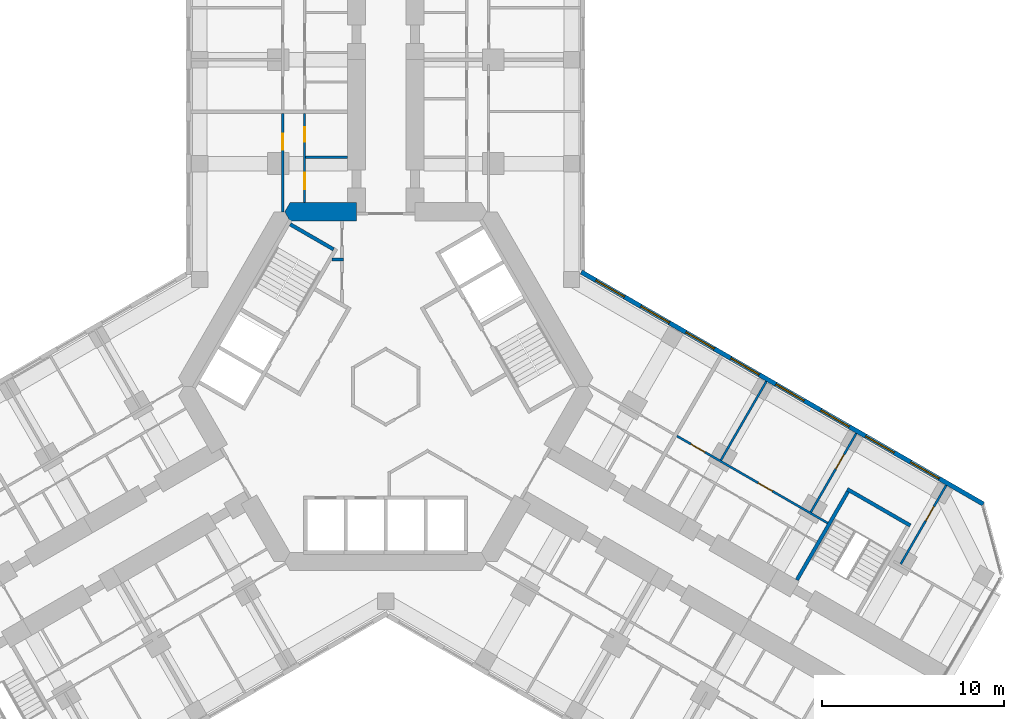
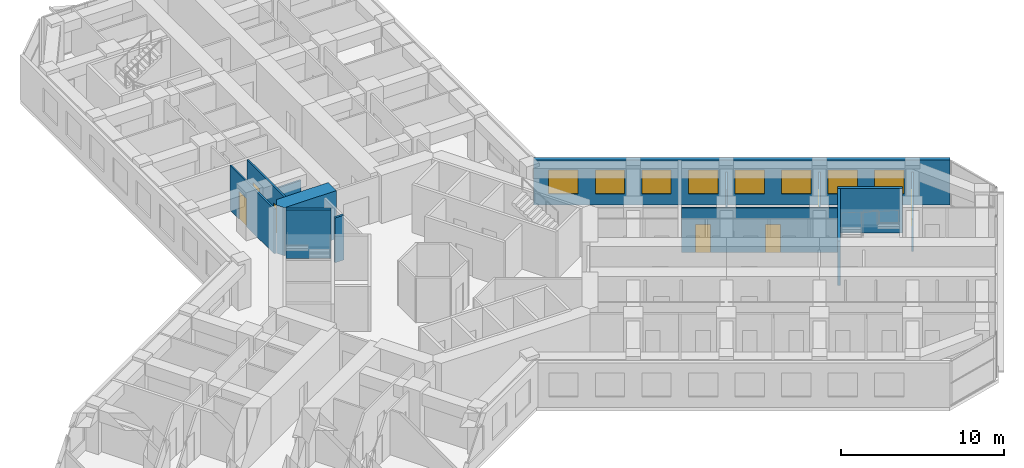
# One storey, part 17 of 22: 13 walls, 8 windows, 7 doors, 15 openings.
"""IFC4 building model written with IfcOpenShell, lengths in metres."""

from ifc_helpers import new_model, si_unit, direction, frame, frame_2d, origin, place, context, subcontext, project, spatial, polyline, rectangle, outline, extrude, material, layer, layer_set, type_object, element, fill, save


model = new_model("IFC4")

# Units and contexts
model_context = context("Model", 3, precision=1e-05, world=origin(), true_north=direction((0.0, 1.0)))
body_context = subcontext(model_context, "Body", "Model", "MODEL_VIEW")
ifc_project = project(units=[si_unit("LENGTHUNIT", "METRE"), si_unit("AREAUNIT", "SQUARE_METRE"), si_unit("VOLUMEUNIT", "CUBIC_METRE"), si_unit("PLANEANGLEUNIT", "RADIAN"), si_unit("MASSUNIT", "GRAM", prefix="KILO")], contexts=[model_context])

# Site, building, storey
site_placement = place(None, origin())
site = spatial("IfcSite", under=ifc_project, at=site_placement, CompositionType="ELEMENT")
building_placement = place(site_placement, origin())
building = spatial("IfcBuilding", under=site, at=building_placement, Name="Kosmar Iwan School Tower", CompositionType="ELEMENT")
storey_placement = place(building_placement, frame((0.0, 0.0, 91.60009765625)))
storey = spatial("IfcBuildingStorey", under=building, at=storey_placement, Name="L22", CompositionType="ELEMENT", Elevation=91.60009765625)

# Walls
ifc_material_1 = material(Name="Gypsum board on steel studs, fire-rated", Category="steel")
ifc_layer_1 = layer(ifc_material_1, 0.14990234375)
ifc_layer_set_1 = layer_set([ifc_layer_1], Name="Core room partition 150")
wall_type_1 = type_object("IfcWallType", Name="Core room partition 150", PredefinedType="PARTITIONING", material=ifc_layer_set_1)
wall_1_placement = place(storey_placement, frame((-2.324951171875, 6.985107421875, 0.0), z_axis=(0.0, 0.0, 1.0), x_axis=(-1.0, 0.0, 0.0)))
element("IfcWall", 1, at=wall_1_placement, inside=storey, type_object=wall_type_1, Name="Core room partition L22-CW2", PredefinedType="PARTITIONING", context=body_context, shape_type="SweptSolid", body=[
    extrude(rectangle(XDim=0.623779296875, YDim=0.14990234375, at=frame_2d((0.31201171875, 0.0))), origin(), (0.0, 0.0, 1.0), 3.349853515625),
])
ifc_material_2 = material(Name="Concrete C50/60", Category="concrete")
ifc_layer_2 = layer(ifc_material_2, 1.0)
ifc_layer_set_2 = layer_set([ifc_layer_2], Name="Core wall 1000")
wall_type_2 = type_object("IfcWallType", Name="Core wall 1000", PredefinedType="SHEAR", material=ifc_layer_set_2)
wall_2_placement = place(storey_placement, origin())
element("IfcWall", 2, at=wall_2_placement, inside=storey, type_object=wall_type_2, Name="Core wall F090b", PredefinedType="SHEAR", context=body_context, shape_type="SweptSolid", body=[
    extrude(outline(polyline([(-5.25390625, 9.10009765625), (-1.60009765625, 9.10009765625), (-1.60009765625, 10.10009765625), (-5.25390625, 10.10009765625), (-5.54248046875, 9.60009765625), (-5.25390625, 9.10009765625)])), origin(), (0.0, 0.0, 1.0), 3.599853515625),
])

# Wall, openings, doors
ifc_material_3 = material(Name="Gypsum board on steel studs", Category="steel")
ifc_layer_3 = layer(ifc_material_3, 0.1201171875)
ifc_layer_set_3 = layer_set([ifc_layer_3], Name="Dwelling partition 120")
wall_type_3 = type_object("IfcWallType", Name="Dwelling partition 120", PredefinedType="PARTITIONING", material=ifc_layer_set_3)
wall_3_placement = place(storey_placement, frame((-4.449951171875, 10.10009765625, 0.0), z_axis=(0.0, 0.0, 1.0), x_axis=(0.0, 1.0, 0.0)))
wall_3 = element("IfcWall", 3, at=wall_3_placement, inside=storey, type_object=wall_type_3, Name="Partition L22-AL1-W1", PredefinedType="PARTITIONING", context=body_context, shape_type="SweptSolid", body=[
    extrude(rectangle(XDim=4.89990234375, YDim=0.1201171875, at=frame_2d((2.449951171875, 0.0))), origin(), (0.0, 0.0, 1.0), 3.349853515625),
])
opening_1_placement = place(wall_3_placement, frame((0.75, 0.0, 0.0)))
opening_1 = element("IfcOpeningElement", 4, at=opening_1_placement, cuts=wall_3, Name="Opening D2", PredefinedType="OPENING", context=body_context, shape_type="SweptSolid", body=[
    extrude(rectangle(XDim=0.89990234375, YDim=2.10009765625, at=frame_2d((0.449951171875, 1.050048828125))), frame((0.0, 0.072021484375, 0.0), z_axis=(0.0, -1.0, 0.0), x_axis=(1.0, 0.0, 0.0)), (0.0, 0.0, 1.0), 0.14404296875),
])
opening_2_placement = place(wall_3_placement, frame((3.35009765625, 0.0, 0.0)))
opening_2 = element("IfcOpeningElement", 5, at=opening_2_placement, cuts=wall_3, Name="Opening D3", PredefinedType="OPENING", context=body_context, shape_type="SweptSolid", body=[
    extrude(rectangle(XDim=0.800048828125, YDim=2.10009765625, at=frame_2d((0.39990234375, 1.050048828125))), frame((0.0, 0.072021484375, 0.0), z_axis=(0.0, -1.0, 0.0), x_axis=(1.0, 0.0, 0.0)), (0.0, 0.0, 1.0), 0.14404296875),
])
ifc_material_4 = material(Name="Timber door in timber frame", Category="wood")
door_type_1 = type_object("IfcDoorType", Name="Internal door 900x2100", OperationType="SINGLE_SWING_LEFT", PredefinedType="DOOR", material=ifc_material_4)
door_1_placement = place(opening_1_placement, origin())
door_1 = element("IfcDoor", 6, at=door_1_placement, inside=storey, type_object=door_type_1, Name="Entrance hall door L22-AL1-S1", OperationType="SINGLE_SWING_LEFT", OverallHeight=2.10009765625, OverallWidth=0.89990234375, PredefinedType="DOOR", context=body_context, shape_type="SweptSolid", body=[
    extrude(rectangle(XDim=0.89990234375, YDim=2.10009765625, at=frame_2d((0.449951171875, 1.050048828125))), frame((0.0, 0.02490234375, 0.0), z_axis=(0.0, -1.0, 0.0), x_axis=(1.0, 0.0, 0.0)), (0.0, 0.0, 1.0), 0.050048828125),
])
fill(opening_1, door_1)
ifc_material_5 = material(Name="Timber door in timber frame", Category="wood")
door_type_2 = type_object("IfcDoorType", Name="Sanitary room door 800x2100", OperationType="SINGLE_SWING_LEFT", PredefinedType="DOOR", material=ifc_material_5)
door_2_placement = place(opening_2_placement, origin())
door_2 = element("IfcDoor", 7, at=door_2_placement, inside=storey, type_object=door_type_2, Name="Bathroom door L22-AL1-S2", OperationType="SINGLE_SWING_RIGHT", OverallHeight=2.10009765625, OverallWidth=0.800048828125, PredefinedType="DOOR", context=body_context, shape_type="SweptSolid", body=[
    extrude(rectangle(XDim=0.800048828125, YDim=2.10009765625, at=frame_2d((0.39990234375, 1.050048828125))), frame((0.0, 0.02490234375, 0.0), z_axis=(0.0, -1.0, 0.0), x_axis=(1.0, 0.0, 0.0)), (0.0, 0.0, 1.0), 0.050048828125),
])
fill(opening_2, door_2)

# Wall, opening, door
wall_4_placement = place(storey_placement, frame((-5.64990234375, 9.60009765625, 0.0), z_axis=(0.0, 0.0, 1.0), x_axis=(0.0, 1.0, 0.0)))
wall_4 = element("IfcWall", 8, at=wall_4_placement, inside=storey, type_object=wall_type_3, Name="Partition L22-AL1-W2", PredefinedType="PARTITIONING", context=body_context, shape_type="SweptSolid", body=[
    extrude(rectangle(XDim=5.39990234375, YDim=0.1201171875, at=frame_2d((2.699951171875, 0.0))), origin(), (0.0, 0.0, 1.0), 3.349853515625),
])
opening_3_placement = place(wall_4_placement, frame((3.39990234375, 0.0, 0.0)))
opening_3 = element("IfcOpeningElement", 9, at=opening_3_placement, cuts=wall_4, Name="Opening D2", PredefinedType="OPENING", context=body_context, shape_type="SweptSolid", body=[
    extrude(rectangle(XDim=0.89990234375, YDim=2.10009765625, at=frame_2d((0.449951171875, 1.050048828125))), frame((0.0, 0.072021484375, 0.0), z_axis=(0.0, -1.0, 0.0), x_axis=(1.0, 0.0, 0.0)), (0.0, 0.0, 1.0), 0.14404296875),
])
door_3_placement = place(opening_3_placement, origin())
door_3 = element("IfcDoor", 10, at=door_3_placement, inside=storey, type_object=door_type_1, Name="Studio living room and kitchen door L22-AL1-F1", OperationType="SINGLE_SWING_RIGHT", OverallHeight=2.10009765625, OverallWidth=0.89990234375, PredefinedType="DOOR", context=body_context, shape_type="SweptSolid", body=[
    extrude(rectangle(XDim=0.89990234375, YDim=2.10009765625, at=frame_2d((0.449951171875, 1.050048828125))), frame((0.0, 0.02490234375, 0.0), z_axis=(0.0, -1.0, 0.0), x_axis=(1.0, 0.0, 0.0)), (0.0, 0.0, 1.0), 0.050048828125),
])
fill(opening_3, door_3)

# Wall
wall_5_placement = place(storey_placement, frame((-2.10009765625, 12.60009765625, 0.0), z_axis=(0.0, 0.0, 1.0), x_axis=(-1.0, 0.0, 0.0)))
element("IfcWall", 11, at=wall_5_placement, inside=storey, type_object=wall_type_3, Name="Partition L22-AL1-Y1", PredefinedType="PARTITIONING", context=body_context, shape_type="SweptSolid", body=[
    extrude(rectangle(XDim=2.289794921875, YDim=0.1201171875, at=frame_2d((1.14501953125, 0.0))), origin(), (0.0, 0.0, 1.0), 2.449951171875),
])

# Wall, openings, doors
wall_6_placement = place(storey_placement, frame((15.988525390625, -2.70703125, 0.0), z_axis=(0.0, 0.0, 1.0), x_axis=(0.866028920859, -0.499993908199, 0.0)))
wall_6 = element("IfcWall", 12, at=wall_6_placement, inside=storey, type_object=wall_type_3, Name="Partition L22-CL2-W2", PredefinedType="PARTITIONING", context=body_context, shape_type="SweptSolid", body=[
    extrude(rectangle(XDim=9.5498046875, YDim=0.1201171875, at=frame_2d((4.77490234375, 0.0))), origin(), (0.0, 0.0, 1.0), 3.349853515625),
])
opening_4_placement = place(wall_6_placement, frame((0.875, 0.0, 0.0)))
opening_4 = element("IfcOpeningElement", 13, at=opening_4_placement, cuts=wall_6, Name="Opening D2", PredefinedType="OPENING", context=body_context, shape_type="SweptSolid", body=[
    extrude(rectangle(XDim=0.89990234375, YDim=2.10009765625, at=frame_2d((0.449951171875, 1.050048828125))), frame((0.0, 0.072021484375, 0.0), z_axis=(0.0, -1.0, 0.0), x_axis=(1.0, 0.0, 0.0)), (0.0, 0.0, 1.0), 0.14404296875),
])
opening_5_placement = place(wall_6_placement, frame((5.14990234375, 0.0, 0.0)))
opening_5 = element("IfcOpeningElement", 14, at=opening_5_placement, cuts=wall_6, Name="Opening D2", PredefinedType="OPENING", context=body_context, shape_type="SweptSolid", body=[
    extrude(rectangle(XDim=0.89990234375, YDim=2.10009765625, at=frame_2d((0.449951171875, 1.050048828125))), frame((0.0, 0.072021484375, 0.0), z_axis=(0.0, -1.0, 0.0), x_axis=(1.0, 0.0, 0.0)), (0.0, 0.0, 1.0), 0.14404296875),
])
door_4_placement = place(opening_4_placement, origin())
door_4 = element("IfcDoor", 15, at=door_4_placement, inside=storey, type_object=door_type_1, Name="Bedroom 1 door L22-CL2-F1", OperationType="SINGLE_SWING_RIGHT", OverallHeight=2.10009765625, OverallWidth=0.89990234375, PredefinedType="DOOR", context=body_context, shape_type="SweptSolid", body=[
    extrude(rectangle(XDim=0.89990234375, YDim=2.10009765625, at=frame_2d((0.449951171875, 1.050048828125))), frame((0.0, 0.02490234375, 0.0), z_axis=(0.0, -1.0, 0.0), x_axis=(1.0, 0.0, 0.0)), (0.0, 0.0, 1.0), 0.050048828125),
])
fill(opening_4, door_4)
door_5_placement = place(opening_5_placement, origin())
door_5 = element("IfcDoor", 16, at=door_5_placement, inside=storey, type_object=door_type_1, Name="Living room and kitchen door L22-CL2-F2", OperationType="SINGLE_SWING_LEFT", OverallHeight=2.10009765625, OverallWidth=0.89990234375, PredefinedType="DOOR", context=body_context, shape_type="SweptSolid", body=[
    extrude(rectangle(XDim=0.89990234375, YDim=2.10009765625, at=frame_2d((0.449951171875, 1.050048828125))), frame((0.0, 0.02490234375, 0.0), z_axis=(0.0, -1.0, 0.0), x_axis=(1.0, 0.0, 0.0)), (0.0, 0.0, 1.0), 0.050048828125),
])
fill(opening_5, door_5)

# Wall
wall_7_placement = place(storey_placement, frame((18.400146484375, -4.030029296875, 0.0), z_axis=(0.0, 0.0, 1.0), x_axis=(0.500011847778, 0.866018563358, 0.0)))
element("IfcWall", 17, at=wall_7_placement, inside=storey, type_object=wall_type_3, Name="Partition L22-CL2-X1", PredefinedType="PARTITIONING", context=body_context, shape_type="SweptSolid", body=[
    extrude(rectangle(XDim=4.990234375, YDim=0.1201171875, at=frame_2d((2.4951171875, 0.0))), origin(), (0.0, 0.0, 1.0), 2.449951171875),
])

# Wall, opening, door
wall_8_placement = place(storey_placement, frame((23.33642578125, -6.8798828125, 0.0), z_axis=(0.0, 0.0, 1.0), x_axis=(0.500033033937, 0.866006330792, 0.0)))
wall_8 = element("IfcWall", 18, at=wall_8_placement, inside=storey, type_object=wall_type_3, Name="Partition L22-CL2-TB", PredefinedType="PARTITIONING", context=body_context, shape_type="SweptSolid", body=[
    extrude(rectangle(XDim=4.989990234375, YDim=0.1201171875, at=frame_2d((2.4951171875, 0.0))), origin(), (0.0, 0.0, 1.0), 2.449951171875),
])
opening_6_placement = place(wall_8_placement, frame((2.739990234375, 0.0, 0.0)))
opening_6 = element("IfcOpeningElement", 19, at=opening_6_placement, cuts=wall_8, Name="Opening D2", PredefinedType="OPENING", context=body_context, shape_type="SweptSolid", body=[
    extrude(rectangle(XDim=0.89990234375, YDim=2.10009765625, at=frame_2d((0.449951171875, 1.050048828125))), frame((0.0, 0.072021484375, 0.0), z_axis=(0.0, -1.0, 0.0), x_axis=(1.0, 0.0, 0.0)), (0.0, 0.0, 1.0), 0.14404296875),
])
door_6_placement = place(opening_6_placement, origin())
door_6 = element("IfcDoor", 20, at=door_6_placement, inside=storey, type_object=door_type_1, Name="Study door L22-CL2-F2", OperationType="SINGLE_SWING_RIGHT", OverallHeight=2.10009765625, OverallWidth=0.89990234375, PredefinedType="DOOR", context=body_context, shape_type="SweptSolid", body=[
    extrude(rectangle(XDim=0.89990234375, YDim=2.10009765625, at=frame_2d((0.449951171875, 1.050048828125))), frame((0.0, 0.02490234375, 0.0), z_axis=(0.0, -1.0, 0.0), x_axis=(1.0, 0.0, 0.0)), (0.0, 0.0, 1.0), 0.050048828125),
])
fill(opening_6, door_6)

wall_9_placement = place(storey_placement, frame((28.27294921875, -9.72998046875, 0.0), z_axis=(0.0, 0.0, 1.0), x_axis=(0.499975153383, 0.86603974851, 0.0)))
wall_9 = element("IfcWall", 21, at=wall_9_placement, inside=storey, type_object=wall_type_3, Name="Partition L22-CL2-TX", PredefinedType="PARTITIONING", context=body_context, shape_type="SweptSolid", body=[
    extrude(rectangle(XDim=4.989990234375, YDim=0.1201171875, at=frame_2d((2.4951171875, 0.0))), origin(), (0.0, 0.0, 1.0), 2.449951171875),
])
opening_7_placement = place(wall_9_placement, frame((2.739990234375, 0.0, 0.0)))
opening_7 = element("IfcOpeningElement", 22, at=opening_7_placement, cuts=wall_9, Name="Opening D2", PredefinedType="OPENING", context=body_context, shape_type="SweptSolid", body=[
    extrude(rectangle(XDim=0.89990234375, YDim=2.10009765625, at=frame_2d((0.449951171875, 1.050048828125))), frame((0.0, 0.072021484375, 0.0), z_axis=(0.0, -1.0, 0.0), x_axis=(1.0, 0.0, 0.0)), (0.0, 0.0, 1.0), 0.14404296875),
])
door_7_placement = place(opening_7_placement, origin())
door_7 = element("IfcDoor", 23, at=door_7_placement, inside=storey, type_object=door_type_1, Name="Study door L22-CL2-T1", OperationType="SINGLE_SWING_RIGHT", OverallHeight=2.10009765625, OverallWidth=0.89990234375, PredefinedType="DOOR", context=body_context, shape_type="SweptSolid", body=[
    extrude(rectangle(XDim=0.89990234375, YDim=2.10009765625, at=frame_2d((0.449951171875, 1.050048828125))), frame((0.0, 0.02490234375, 0.0), z_axis=(0.0, -1.0, 0.0), x_axis=(1.0, 0.0, 0.0)), (0.0, 0.0, 1.0), 0.050048828125),
])
fill(opening_7, door_7)

# Walls
ifc_material_6 = material(Name="Concrete C35/45", Category="concrete")
ifc_layer_4 = layer(ifc_material_6, 0.199951171875)
ifc_layer_set_4 = layer_set([ifc_layer_4], Name="Escape stair wall 200")
wall_type_4 = type_object("IfcWallType", Name="Escape stair wall 200", PredefinedType="SHEAR", material=ifc_layer_set_4)
wall_10_placement = place(storey_placement, frame((22.57080078125, -10.6064453125, 0.0), z_axis=(0.0, 0.0, 1.0), x_axis=(0.499987231761, 0.866032775405, 0.0)))
element("IfcWall", 24, at=wall_10_placement, inside=storey, type_object=wall_type_4, Name="Stair WS3 wall", PredefinedType="SHEAR", context=body_context, shape_type="SweptSolid", body=[
    extrude(rectangle(XDim=5.800048828125, YDim=0.199951171875, at=frame_2d((2.89990234375, 0.0))), origin(), (0.0, 0.0, 1.0), 3.329833984375),
])
wall_11_placement = place(storey_placement, frame((25.334228515625, -5.6201171875, 0.0), z_axis=(0.0, 0.0, 1.0), x_axis=(0.866026010844, -0.49999894854, 0.0)))
element("IfcWall", 25, at=wall_11_placement, inside=storey, type_object=wall_type_4, Name="Stair WS3 wall", PredefinedType="SHEAR", context=body_context, shape_type="SweptSolid", body=[
    extrude(rectangle(XDim=4.0, YDim=0.199951171875, at=frame_2d((2.0, 0.0))), origin(), (0.0, 0.0, 1.0), 3.329833984375),
])

# Wall, openings, windows
ifc_material_7 = material(Name="Black aluminium rainscreen on insulated framing", Category="aluminium")
ifc_layer_5 = layer(ifc_material_7, 0.25)
ifc_layer_set_5 = layer_set([ifc_layer_5], Name="External wall rainscreen 250")
wall_type_5 = type_object("IfcWallType", Name="External wall rainscreen 250", PredefinedType="SOLIDWALL", material=ifc_layer_set_5)
wall_12_placement = place(storey_placement, frame((10.73681640625, 6.30078125, 0.0), z_axis=(0.0, 0.0, 1.0), x_axis=(0.866026390279, -0.499998291337, 0.0)))
wall_12 = element("IfcWall", 26, at=wall_12_placement, inside=storey, type_object=wall_type_5, Name="External wall CL L22", PredefinedType="SOLIDWALL", context=body_context, shape_type="SweptSolid", body=[
    extrude(rectangle(XDim=25.4873046875, YDim=0.25, at=frame_2d((12.74365234375, 0.0))), origin(), (0.0, 0.0, 1.0), 3.349853515625),
])
opening_8_placement = place(wall_12_placement, frame((0.927001953125, 0.0, 0.800048828125)))
opening_8 = element("IfcOpeningElement", 27, at=opening_8_placement, cuts=wall_12, Name="Opening W1", PredefinedType="OPENING", context=body_context, shape_type="SweptSolid", body=[
    extrude(rectangle(XDim=1.800048828125, YDim=1.800048828125, at=frame_2d((0.89990234375, 0.89990234375))), frame((0.0, 0.136962890625, 0.0), z_axis=(0.0, -1.0, 0.0), x_axis=(1.0, 0.0, 0.0)), (0.0, 0.0, 1.0), 0.27392578125),
])
opening_9_placement = place(wall_12_placement, frame((3.777099609375, 0.0, 0.800048828125)))
opening_9 = element("IfcOpeningElement", 28, at=opening_9_placement, cuts=wall_12, Name="Opening W1", PredefinedType="OPENING", context=body_context, shape_type="SweptSolid", body=[
    extrude(rectangle(XDim=1.800048828125, YDim=1.800048828125, at=frame_2d((0.89990234375, 0.89990234375))), frame((0.0, 0.136962890625, 0.0), z_axis=(0.0, -1.0, 0.0), x_axis=(1.0, 0.0, 0.0)), (0.0, 0.0, 1.0), 0.27392578125),
])
opening_10_placement = place(wall_12_placement, frame((6.626953125, 0.0, 0.800048828125)))
opening_10 = element("IfcOpeningElement", 29, at=opening_10_placement, cuts=wall_12, Name="Opening W1", PredefinedType="OPENING", context=body_context, shape_type="SweptSolid", body=[
    extrude(rectangle(XDim=1.800048828125, YDim=1.800048828125, at=frame_2d((0.89990234375, 0.89990234375))), frame((0.0, 0.136962890625, 0.0), z_axis=(0.0, -1.0, 0.0), x_axis=(1.0, 0.0, 0.0)), (0.0, 0.0, 1.0), 0.27392578125),
])
opening_11_placement = place(wall_12_placement, frame((9.47705078125, 0.0, 0.800048828125)))
opening_11 = element("IfcOpeningElement", 30, at=opening_11_placement, cuts=wall_12, Name="Opening W1", PredefinedType="OPENING", context=body_context, shape_type="SweptSolid", body=[
    extrude(rectangle(XDim=1.800048828125, YDim=1.800048828125, at=frame_2d((0.89990234375, 0.89990234375))), frame((0.0, 0.136962890625, 0.0), z_axis=(0.0, -1.0, 0.0), x_axis=(1.0, 0.0, 0.0)), (0.0, 0.0, 1.0), 0.27392578125),
])
opening_12_placement = place(wall_12_placement, frame((12.326904296875, 0.0, 0.800048828125)))
opening_12 = element("IfcOpeningElement", 31, at=opening_12_placement, cuts=wall_12, Name="Opening W1", PredefinedType="OPENING", context=body_context, shape_type="SweptSolid", body=[
    extrude(rectangle(XDim=1.800048828125, YDim=1.800048828125, at=frame_2d((0.89990234375, 0.89990234375))), frame((0.0, 0.136962890625, 0.0), z_axis=(0.0, -1.0, 0.0), x_axis=(1.0, 0.0, 0.0)), (0.0, 0.0, 1.0), 0.27392578125),
])
opening_13_placement = place(wall_12_placement, frame((15.177001953125, 0.0, 0.800048828125)))
opening_13 = element("IfcOpeningElement", 32, at=opening_13_placement, cuts=wall_12, Name="Opening W1", PredefinedType="OPENING", context=body_context, shape_type="SweptSolid", body=[
    extrude(rectangle(XDim=1.800048828125, YDim=1.800048828125, at=frame_2d((0.89990234375, 0.89990234375))), frame((0.0, 0.136962890625, 0.0), z_axis=(0.0, -1.0, 0.0), x_axis=(1.0, 0.0, 0.0)), (0.0, 0.0, 1.0), 0.27392578125),
])
opening_14_placement = place(wall_12_placement, frame((18.027099609375, 0.0, 0.800048828125)))
opening_14 = element("IfcOpeningElement", 33, at=opening_14_placement, cuts=wall_12, Name="Opening W1", PredefinedType="OPENING", context=body_context, shape_type="SweptSolid", body=[
    extrude(rectangle(XDim=1.800048828125, YDim=1.800048828125, at=frame_2d((0.89990234375, 0.89990234375))), frame((0.0, 0.136962890625, 0.0), z_axis=(0.0, -1.0, 0.0), x_axis=(1.0, 0.0, 0.0)), (0.0, 0.0, 1.0), 0.27392578125),
])
opening_15_placement = place(wall_12_placement, frame((20.876953125, 0.0, 0.800048828125)))
opening_15 = element("IfcOpeningElement", 34, at=opening_15_placement, cuts=wall_12, Name="Opening W1", PredefinedType="OPENING", context=body_context, shape_type="SweptSolid", body=[
    extrude(rectangle(XDim=1.800048828125, YDim=1.800048828125, at=frame_2d((0.89990234375, 0.89990234375))), frame((0.0, 0.136962890625, 0.0), z_axis=(0.0, -1.0, 0.0), x_axis=(1.0, 0.0, 0.0)), (0.0, 0.0, 1.0), 0.27392578125),
])
ifc_material_8 = material(Name="Black aluminium frame with dark triple glazing", Category="aluminium")
window_type = type_object("IfcWindowType", Name="Window 1800x1800", PartitioningType="SINGLE_PANEL", PredefinedType="WINDOW", material=ifc_material_8)
window_1_placement = place(opening_8_placement, origin())
window_1 = element("IfcWindow", 35, at=window_1_placement, inside=storey, type_object=window_type, Name="Window CL L22 -1", OverallHeight=1.800048828125, OverallWidth=1.800048828125, PartitioningType="SINGLE_PANEL", PredefinedType="WINDOW", context=body_context, shape_type="SweptSolid", body=[
    extrude(rectangle(XDim=1.800048828125, YDim=1.800048828125, at=frame_2d((0.89990234375, 0.89990234375))), frame((0.0, 0.030029296875, 0.0), z_axis=(0.0, -1.0, 0.0), x_axis=(1.0, 0.0, 0.0)), (0.0, 0.0, 1.0), 0.06005859375),
])
fill(opening_8, window_1)
window_2_placement = place(opening_9_placement, origin())
window_2 = element("IfcWindow", 36, at=window_2_placement, inside=storey, type_object=window_type, Name="Window CL L22 0", OverallHeight=1.800048828125, OverallWidth=1.800048828125, PartitioningType="SINGLE_PANEL", PredefinedType="WINDOW", context=body_context, shape_type="SweptSolid", body=[
    extrude(rectangle(XDim=1.800048828125, YDim=1.800048828125, at=frame_2d((0.89990234375, 0.89990234375))), frame((0.0, 0.030029296875, 0.0), z_axis=(0.0, -1.0, 0.0), x_axis=(1.0, 0.0, 0.0)), (0.0, 0.0, 1.0), 0.06005859375),
])
fill(opening_9, window_2)
window_3_placement = place(opening_10_placement, origin())
window_3 = element("IfcWindow", 37, at=window_3_placement, inside=storey, type_object=window_type, Name="Window CL L22 1", OverallHeight=1.800048828125, OverallWidth=1.800048828125, PartitioningType="SINGLE_PANEL", PredefinedType="WINDOW", context=body_context, shape_type="SweptSolid", body=[
    extrude(rectangle(XDim=1.800048828125, YDim=1.800048828125, at=frame_2d((0.89990234375, 0.89990234375))), frame((0.0, 0.030029296875, 0.0), z_axis=(0.0, -1.0, 0.0), x_axis=(1.0, 0.0, 0.0)), (0.0, 0.0, 1.0), 0.06005859375),
])
fill(opening_10, window_3)
window_4_placement = place(opening_11_placement, origin())
window_4 = element("IfcWindow", 38, at=window_4_placement, inside=storey, type_object=window_type, Name="Window CL L22 2", OverallHeight=1.800048828125, OverallWidth=1.800048828125, PartitioningType="SINGLE_PANEL", PredefinedType="WINDOW", context=body_context, shape_type="SweptSolid", body=[
    extrude(rectangle(XDim=1.800048828125, YDim=1.800048828125, at=frame_2d((0.89990234375, 0.89990234375))), frame((0.0, 0.030029296875, 0.0), z_axis=(0.0, -1.0, 0.0), x_axis=(1.0, 0.0, 0.0)), (0.0, 0.0, 1.0), 0.06005859375),
])
fill(opening_11, window_4)
window_5_placement = place(opening_12_placement, origin())
window_5 = element("IfcWindow", 39, at=window_5_placement, inside=storey, type_object=window_type, Name="Window CL L22 3", OverallHeight=1.800048828125, OverallWidth=1.800048828125, PartitioningType="SINGLE_PANEL", PredefinedType="WINDOW", context=body_context, shape_type="SweptSolid", body=[
    extrude(rectangle(XDim=1.800048828125, YDim=1.800048828125, at=frame_2d((0.89990234375, 0.89990234375))), frame((0.0, 0.030029296875, 0.0), z_axis=(0.0, -1.0, 0.0), x_axis=(1.0, 0.0, 0.0)), (0.0, 0.0, 1.0), 0.06005859375),
])
fill(opening_12, window_5)
window_6_placement = place(opening_13_placement, origin())
window_6 = element("IfcWindow", 40, at=window_6_placement, inside=storey, type_object=window_type, Name="Window CL L22 4", OverallHeight=1.800048828125, OverallWidth=1.800048828125, PartitioningType="SINGLE_PANEL", PredefinedType="WINDOW", context=body_context, shape_type="SweptSolid", body=[
    extrude(rectangle(XDim=1.800048828125, YDim=1.800048828125, at=frame_2d((0.89990234375, 0.89990234375))), frame((0.0, 0.030029296875, 0.0), z_axis=(0.0, -1.0, 0.0), x_axis=(1.0, 0.0, 0.0)), (0.0, 0.0, 1.0), 0.06005859375),
])
fill(opening_13, window_6)
window_7_placement = place(opening_14_placement, origin())
window_7 = element("IfcWindow", 41, at=window_7_placement, inside=storey, type_object=window_type, Name="Window CL L22 5", OverallHeight=1.800048828125, OverallWidth=1.800048828125, PartitioningType="SINGLE_PANEL", PredefinedType="WINDOW", context=body_context, shape_type="SweptSolid", body=[
    extrude(rectangle(XDim=1.800048828125, YDim=1.800048828125, at=frame_2d((0.89990234375, 0.89990234375))), frame((0.0, 0.030029296875, 0.0), z_axis=(0.0, -1.0, 0.0), x_axis=(1.0, 0.0, 0.0)), (0.0, 0.0, 1.0), 0.06005859375),
])
fill(opening_14, window_7)
window_8_placement = place(opening_15_placement, origin())
window_8 = element("IfcWindow", 42, at=window_8_placement, inside=storey, type_object=window_type, Name="Window CL L22 6", OverallHeight=1.800048828125, OverallWidth=1.800048828125, PartitioningType="SINGLE_PANEL", PredefinedType="WINDOW", context=body_context, shape_type="SweptSolid", body=[
    extrude(rectangle(XDim=1.800048828125, YDim=1.800048828125, at=frame_2d((0.89990234375, 0.89990234375))), frame((0.0, 0.030029296875, 0.0), z_axis=(0.0, -1.0, 0.0), x_axis=(1.0, 0.0, 0.0)), (0.0, 0.0, 1.0), 0.06005859375),
])
fill(opening_15, window_8)

# Wall
ifc_material_9 = material(Name="Concrete C50/60", Category="concrete")
ifc_layer_6 = layer(ifc_material_9, 0.199951171875)
ifc_layer_set_6 = layer_set([ifc_layer_6], Name="Stair enclosure wall 200")
wall_type_6 = type_object("IfcWallType", Name="Stair enclosure wall 200", PredefinedType="SHEAR", material=ifc_layer_set_6)
wall_13_placement = place(storey_placement, frame((-2.862548828125, 7.541748046875, 0.0), z_axis=(0.0, 0.0, 1.0), x_axis=(-0.866027397988, 0.499996545922, 0.0)))
element("IfcWall", 43, at=wall_13_placement, inside=storey, type_object=wall_type_6, Name="Stair ST2 wall", PredefinedType="SHEAR", context=body_context, shape_type="SweptSolid", body=[
    extrude(rectangle(XDim=2.75, YDim=0.199951171875, at=frame_2d((1.375, 0.0))), origin(), (0.0, 0.0, 1.0), 3.599853515625),
])

save(model, "model.ifc")
